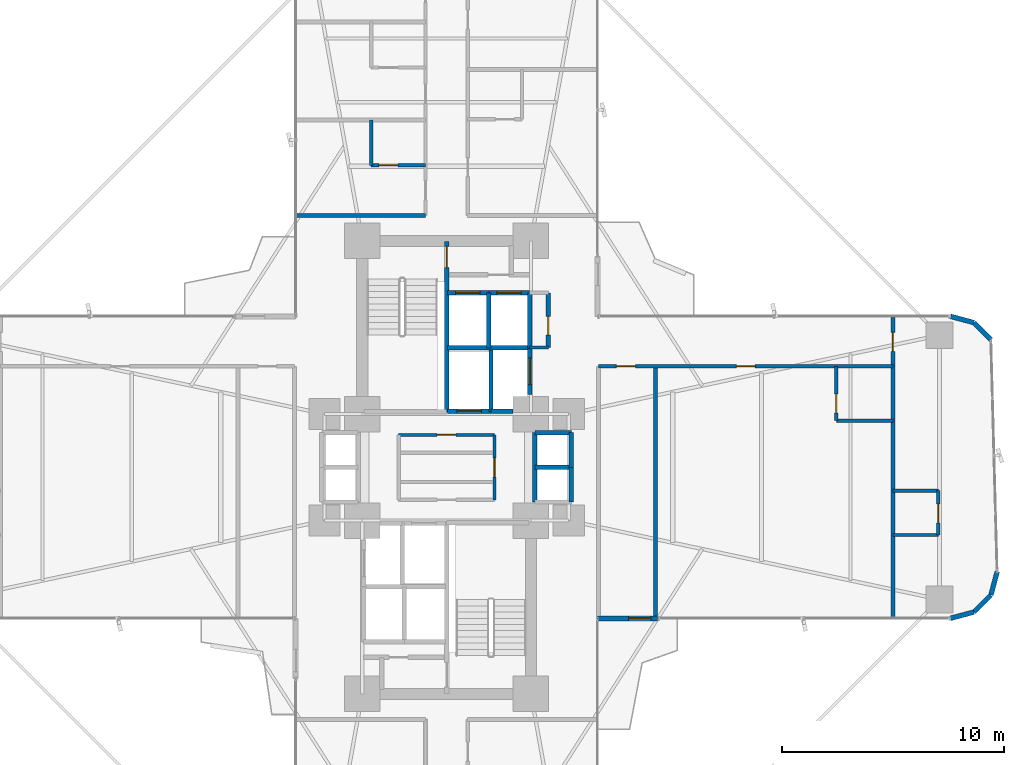
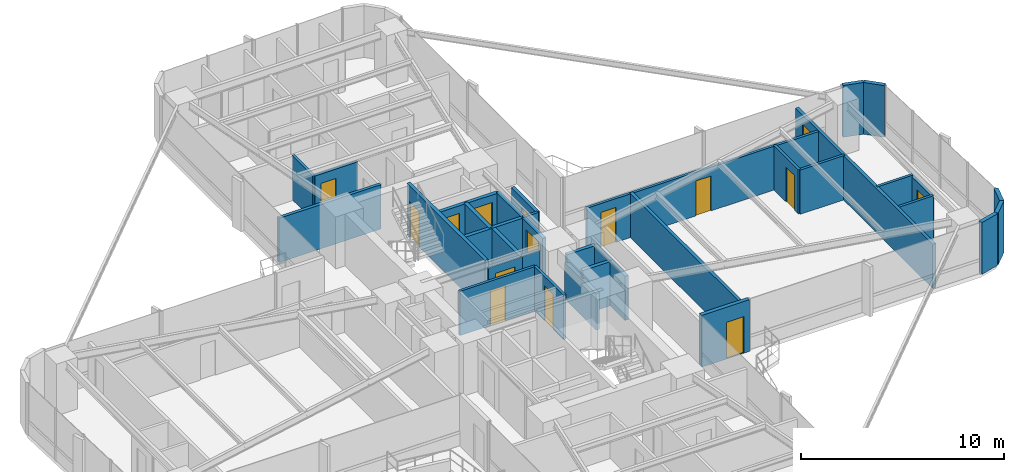
# One storey, part 23 of 25: 36 walls, 15 doors, 15 openings.
"""IFC4 building model written with IfcOpenShell, lengths in metres."""

from ifc_helpers import new_model, si_unit, direction, frame, frame_2d, origin, origin_2d, place, context, subcontext, project, spatial, rectangle, extrude, source, transform, mapped, material, layer, layer_set, type_object, element, fill, save


model = new_model("IFC4")

# Units and contexts
model_context = context("Model", 3, precision=1e-05, world=origin(), true_north=direction((0.0, 1.0)))
body_context = subcontext(model_context, "Body", "Model", "MODEL_VIEW")
ifc_project = project(units=[si_unit("LENGTHUNIT", "METRE"), si_unit("AREAUNIT", "SQUARE_METRE"), si_unit("VOLUMEUNIT", "CUBIC_METRE"), si_unit("PLANEANGLEUNIT", "RADIAN"), si_unit("MASSUNIT", "GRAM", prefix="KILO")], contexts=[model_context])

# Site, building, storey
site_placement = place(None, origin())
site = spatial("IfcSite", under=ifc_project, at=site_placement, CompositionType="ELEMENT")
building_placement = place(site_placement, origin())
building = spatial("IfcBuilding", under=site, at=building_placement, Name="Sahyath Konkavel Grand Hotel", CompositionType="ELEMENT")
storey_placement = place(building_placement, frame((0.0, 0.0, 36.5)))
storey = spatial("IfcBuildingStorey", under=building, at=storey_placement, Name="L09", CompositionType="ELEMENT", Elevation=36.5)

# Wall, opening, door
ifc_material_1 = material(Name="Warm Buff Sandstone Insulated Concrete C40/50", Category="masonry")
ifc_layer_1 = layer(ifc_material_1, 0.219970703125)
ifc_layer_set_1 = layer_set([ifc_layer_1], Name="Warm Buff Sandstone Insulated Concrete C40/50")
wall_type_1 = type_object("IfcWallType", Name="WLL-BALC-THRESH", PredefinedType="STANDARD", material=ifc_layer_set_1)
wall_1_placement = place(storey_placement, frame((6.800048828125, -6.800048828125, 0.0), z_axis=(0.0, 0.0, 1.0), x_axis=(1.0, 0.0, 0.0)))
wall_1 = element("IfcWall", 1, at=wall_1_placement, inside=storey, type_object=wall_type_1, Name="L09 Winter-Garden Threshold Wall 0", PredefinedType="STANDARD", context=body_context, shape_type="SweptSolid", body=[
    extrude(rectangle(XDim=2.699951171875, YDim=0.219970703125, at=frame_2d((1.35009765625, 0.0))), origin(), (0.0, 0.0, 1.0), 3.110107421875),
])
opening_1_placement = place(wall_1_placement, frame((1.39990234375, 0.0, 0.0)))
opening_1 = element("IfcOpeningElement", 2, at=opening_1_placement, cuts=wall_1, Name="Opening D-TR1", PredefinedType="OPENING", context=body_context, shape_type="SweptSolid", body=[
    extrude(rectangle(XDim=1.0, YDim=2.199951171875, at=frame_2d((0.5, 1.10009765625))), frame((0.0, 0.1201171875, 0.0), z_axis=(0.0, -1.0, 0.0), x_axis=(1.0, 0.0, 0.0)), (0.0, 0.0, 1.0), 0.239990234375),
])
ifc_material_2 = material(Name="Anodised Bronze Aluminium & Low-E Glazing", Category="aluminium")
door_type_1 = type_object("IfcDoorType", Name="DR-TERRACE-1000", OperationType="NOTDEFINED", PredefinedType="DOOR", material=ifc_material_2)
shared_shape_1 = source(origin(), body_context, "Body", "SweptSolid", [
    extrude(rectangle(XDim=1.0, YDim=0.050048828125, at=origin_2d()), origin(), (0.0, 0.0, 1.0), 2.199951171875),
])
door_1_placement = place(opening_1_placement, frame((0.5, 0.0, 0.0)))
door_1 = element("IfcDoor", 3, at=door_1_placement, inside=storey, type_object=door_type_1, Name="L09 Winter-Garden Terrace Door 0", OperationType="SINGLE_SWING_LEFT", OverallHeight=2.199951171875, OverallWidth=1.0, PredefinedType="DOOR", context=body_context, shape_type="MappedRepresentation", body=[
    mapped(shared_shape_1, transform((0.0, 0.0, 0.0), scale=1.0)),
])
fill(opening_1, door_1)

# Walls
for number, where, z_axis, x_axis, name in (
    (4, (22.699951171875, -6.800048828125, 0.0), (0.0, 0.0, 1.0), (0.965951058412, 0.25872485917, 0.0), "L09 Rounded Corner Sandstone Pier 1"),
    (5, (23.75, -6.518798828125, 0.0), (0.0, 0.0, 1.0), (0.707106781187, 0.707106781187, 0.0), "L09 Rounded Corner Sandstone Pier 2"),
    (6, (24.518798828125, -5.75, 0.0), (0.0, 0.0, 1.0), (0.25872485917, 0.965951058412, 0.0), "L09 Rounded Corner Sandstone Pier 3"),
    (7, (24.518798828125, 5.75, 0.0), (0.0, 0.0, 1.0), (-0.707106781187, 0.707106781187, 0.0), "L09 Rounded Corner Sandstone Pier 5"),
    (8, (23.75, 6.518798828125, 0.0), (0.0, 0.0, 1.0), (-0.965951058412, 0.25872485917, 0.0), "L09 Rounded Corner Sandstone Pier 6"),
):
    element("IfcWall", number, at=place(storey_placement, frame(where, z_axis=z_axis, x_axis=x_axis)), inside=storey, type_object=wall_type_1, Name=name, PredefinedType="STANDARD", context=body_context, shape_type="SweptSolid", body=[
        extrude(rectangle(XDim=1.087158203125, YDim=0.219970703125, at=frame_2d((0.54345703125, 0.0))), origin(), (0.0, 0.0, 1.0), 3.110107421875),
    ])

# Wall, opening, door
ifc_material_3 = material(Name="Concrete C40/50", Category="concrete")
ifc_layer_2 = layer(ifc_material_3, 0.199951171875)
ifc_layer_set_2 = layer_set([ifc_layer_2], Name="Concrete C40/50")
wall_type_2 = type_object("IfcWallType", Name="WLL-CORE-200", PredefinedType="SOLIDWALL", material=ifc_layer_set_2)
wall_2_placement = place(storey_placement, frame((0.0, 2.5, 0.0), z_axis=(0.0, 0.0, 1.0), x_axis=(0.0, 1.0, 0.0)))
wall_2 = element("IfcWall", 9, at=wall_2_placement, inside=storey, type_object=wall_type_2, Name="L09 Stair ST-1 Shaft Wall E", PredefinedType="SOLIDWALL", context=body_context, shape_type="SweptSolid", body=[
    extrude(rectangle(XDim=7.679931640625, YDim=0.199951171875, at=frame_2d((3.83984375, 0.0))), origin(), (0.0, 0.0, 1.0), 3.110107421875),
])
opening_2_placement = place(wall_2_placement, frame((6.5, 0.0, 0.0)))
opening_2 = element("IfcOpeningElement", 10, at=opening_2_placement, cuts=wall_2, Name="Opening D-F12C", PredefinedType="OPENING", context=body_context, shape_type="SweptSolid", body=[
    extrude(rectangle(XDim=0.949951171875, YDim=2.14990234375, at=frame_2d((0.47509765625, 1.074951171875))), frame((0.0, 0.10986328125, 0.0), z_axis=(0.0, -1.0, 0.0), x_axis=(1.0, 0.0, 0.0)), (0.0, 0.0, 1.0), 0.219970703125),
])
ifc_material_4 = material(Name="Steel E350 Plant Fire Door", Category="steel")
door_type_2 = type_object("IfcDoorType", Name="DR-FD120-950", OperationType="NOTDEFINED", PredefinedType="DOOR", material=ifc_material_4)
shared_shape_2 = source(origin(), body_context, "Body", "SweptSolid", [
    extrude(rectangle(XDim=0.949951171875, YDim=0.050048828125, at=origin_2d()), origin(), (0.0, 0.0, 1.0), 2.14990234375),
])
door_2_placement = place(opening_2_placement, frame((0.47509765625, 0.0, 0.0)))
door_2 = element("IfcDoor", 11, at=door_2_placement, inside=storey, type_object=door_type_2, Name="L09 Stair ST-1 Fire Door", OperationType="SINGLE_SWING_LEFT", OverallHeight=2.14990234375, OverallWidth=0.949951171875, PredefinedType="DOOR", context=body_context, shape_type="MappedRepresentation", body=[
    mapped(shared_shape_2, transform((0.0, 0.0, 0.0), scale=1.0)),
])
fill(opening_2, door_2)

# Wall
wall_3_placement = place(storey_placement, frame((2.0, 2.5, 0.0), z_axis=(0.0, 0.0, 1.0), x_axis=(0.0, 1.0, 0.0)))
element("IfcWall", 12, at=wall_3_placement, inside=storey, type_object=wall_type_2, Name="L09 Partition SH-FFL1-E", PredefinedType="SOLIDWALL", context=body_context, shape_type="SweptSolid", body=[
    extrude(rectangle(XDim=2.780029296875, YDim=0.199951171875, at=frame_2d((1.39013671875, 0.0))), origin(), (0.0, 0.0, 1.0), 2.659912109375),
])

# Wall, opening, door
wall_4_placement = place(storey_placement, frame((0.050048828125, 2.52001953125, 0.0), z_axis=(0.0, 0.0, 1.0), x_axis=(1.0, 0.0, 0.0)))
wall_4 = element("IfcWall", 13, at=wall_4_placement, inside=storey, type_object=wall_type_2, Name="L09 Partition SH-FFL1-S", PredefinedType="SOLIDWALL", context=body_context, shape_type="SweptSolid", body=[
    extrude(rectangle(XDim=1.949951171875, YDim=0.199951171875, at=frame_2d((0.97509765625, 0.0))), origin(), (0.0, 0.0, 1.0), 2.659912109375),
])
opening_3_placement = place(wall_4_placement, frame((0.419921875, 0.0, 0.0)))
opening_3 = element("IfcOpeningElement", 14, at=opening_3_placement, cuts=wall_4, Name="Opening LD-11", PredefinedType="OPENING", context=body_context, shape_type="SweptSolid", body=[
    extrude(rectangle(XDim=1.10009765625, YDim=2.199951171875, at=frame_2d((0.550048828125, 1.10009765625))), frame((0.0, 0.10986328125, 0.0), z_axis=(0.0, -1.0, 0.0), x_axis=(1.0, 0.0, 0.0)), (0.0, 0.0, 1.0), 0.219970703125),
])
ifc_material_5 = material(Name="Bronze Lift Landing Door 1100")
door_type_3 = type_object("IfcDoorType", Name="DR-LIFT-1100", OperationType="DOUBLE_DOOR_SLIDING", PredefinedType="DOOR", material=ifc_material_5)
shared_shape_3 = source(origin(), body_context, "Body", "SweptSolid", [
    extrude(rectangle(XDim=1.10009765625, YDim=0.050048828125, at=origin_2d()), origin(), (0.0, 0.0, 1.0), 2.199951171875),
])
door_3_placement = place(opening_3_placement, frame((0.550048828125, 0.0, 0.0)))
door_3 = element("IfcDoor", 15, at=door_3_placement, inside=storey, type_object=door_type_3, Name="L09 Lift FFL-1 Landing Door", OperationType="DOUBLE_DOOR_SLIDING", OverallHeight=2.199951171875, OverallWidth=1.10009765625, PredefinedType="DOOR", context=body_context, shape_type="MappedRepresentation", body=[
    mapped(shared_shape_3, transform((0.0, 0.0, 0.0), scale=1.0)),
])
fill(opening_3, door_3)

# Wall
wall_5_placement = place(storey_placement, frame((2.0, 2.52001953125, 0.0), z_axis=(0.0, 0.0, 1.0), x_axis=(1.0, 0.0, 0.0)))
element("IfcWall", 16, at=wall_5_placement, inside=storey, type_object=wall_type_2, Name="L09 Partition SH-SVL1-S", PredefinedType="SOLIDWALL", context=body_context, shape_type="SweptSolid", body=[
    extrude(rectangle(XDim=1.0, YDim=0.199951171875, at=frame_2d((0.5, 0.0))), origin(), (0.0, 0.0, 1.0), 2.659912109375),
])

# Wall, opening, door
wall_6_placement = place(storey_placement, frame((3.739990234375, 3.280029296875, 0.0), z_axis=(0.0, 0.0, 1.0), x_axis=(0.0, 1.0, 0.0)))
wall_6 = element("IfcWall", 17, at=wall_6_placement, inside=storey, type_object=wall_type_2, Name="L09 Partition SH-SVL1-E", PredefinedType="SOLIDWALL", context=body_context, shape_type="SweptSolid", body=[
    extrude(rectangle(XDim=2.080078125, YDim=0.199951171875, at=frame_2d((1.0400390625, 0.0))), origin(), (0.0, 0.0, 1.0), 2.659912109375),
])
opening_4_placement = place(wall_6_placement, frame((0.43994140625, 0.0, 0.0)))
opening_4 = element("IfcOpeningElement", 18, at=opening_4_placement, cuts=wall_6, Name="Opening LD-12", PredefinedType="OPENING", context=body_context, shape_type="SweptSolid", body=[
    extrude(rectangle(XDim=1.199951171875, YDim=2.199951171875, at=frame_2d((0.60009765625, 1.10009765625))), frame((0.0, 0.10986328125, 0.0), z_axis=(0.0, -1.0, 0.0), x_axis=(1.0, 0.0, 0.0)), (0.0, 0.0, 1.0), 0.219970703125),
])
ifc_material_6 = material(Name="Stainless Steel Lift Landing Door 1200", Category="steel")
door_type_4 = type_object("IfcDoorType", Name="DR-LIFT-1200", OperationType="DOUBLE_DOOR_SLIDING", PredefinedType="DOOR", material=ifc_material_6)
shared_shape_4 = source(origin(), body_context, "Body", "SweptSolid", [
    extrude(rectangle(XDim=1.199951171875, YDim=0.050048828125, at=origin_2d()), origin(), (0.0, 0.0, 1.0), 2.199951171875),
])
door_4_placement = place(opening_4_placement, frame((0.60009765625, 0.0, 0.0)))
door_4 = element("IfcDoor", 19, at=door_4_placement, inside=storey, type_object=door_type_4, Name="L09 Service Lift SVL-1 Landing Door", OperationType="DOUBLE_DOOR_SLIDING", OverallHeight=2.199951171875, OverallWidth=1.199951171875, PredefinedType="DOOR", context=body_context, shape_type="MappedRepresentation", body=[
    mapped(shared_shape_4, transform((0.0, 0.0, 0.0), scale=1.0)),
])
fill(opening_4, door_4)

# Walls
wall_7_placement = place(storey_placement, frame((0.050048828125, 5.3798828125, 0.0), z_axis=(0.0, 0.0, 1.0), x_axis=(1.0, 0.0, 0.0)))
element("IfcWall", 20, at=wall_7_placement, inside=storey, type_object=wall_type_2, Name="L09 Partition SH-PL12-S", PredefinedType="SOLIDWALL", context=body_context, shape_type="SweptSolid", body=[
    extrude(rectangle(XDim=3.68994140625, YDim=0.199951171875, at=frame_2d((1.844970703125, 0.0))), origin(), (0.0, 0.0, 1.0), 2.659912109375),
])
wall_8_placement = place(storey_placement, frame((1.89990234375, 5.3798828125, 0.0), z_axis=(0.0, 0.0, 1.0), x_axis=(0.0, 1.0, 0.0)))
element("IfcWall", 21, at=wall_8_placement, inside=storey, type_object=wall_type_2, Name="L09 Partition SH-PL12-M", PredefinedType="SOLIDWALL", context=body_context, shape_type="SweptSolid", body=[
    extrude(rectangle(XDim=2.480224609375, YDim=0.199951171875, at=frame_2d((1.240234375, 0.0))), origin(), (0.0, 0.0, 1.0), 2.659912109375),
])

# Wall, opening, door
wall_9_placement = place(storey_placement, frame((0.050048828125, 7.860107421875, 0.0), z_axis=(0.0, 0.0, 1.0), x_axis=(1.0, 0.0, 0.0)))
wall_9 = element("IfcWall", 22, at=wall_9_placement, inside=storey, type_object=wall_type_2, Name="L09 Partition SH-PL1-N", PredefinedType="SOLIDWALL", context=body_context, shape_type="SweptSolid", body=[
    extrude(rectangle(XDim=1.849853515625, YDim=0.199951171875, at=frame_2d((0.9248046875, 0.0))), origin(), (0.0, 0.0, 1.0), 2.659912109375),
])
opening_5_placement = place(wall_9_placement, frame((0.360107421875, 0.0, 0.0)))
opening_5 = element("IfcOpeningElement", 23, at=opening_5_placement, cuts=wall_9, Name="Opening LD-11", PredefinedType="OPENING", context=body_context, shape_type="SweptSolid", body=[
    extrude(rectangle(XDim=1.10009765625, YDim=2.199951171875, at=frame_2d((0.550048828125, 1.10009765625))), frame((0.0, 0.10986328125, 0.0), z_axis=(0.0, -1.0, 0.0), x_axis=(1.0, 0.0, 0.0)), (0.0, 0.0, 1.0), 0.219970703125),
])
door_5_placement = place(opening_5_placement, frame((0.550048828125, 0.0, 0.0)))
door_5 = element("IfcDoor", 24, at=door_5_placement, inside=storey, type_object=door_type_3, Name="L09 Passenger Lift PL-1 Landing Door", OperationType="DOUBLE_DOOR_SLIDING", OverallHeight=2.199951171875, OverallWidth=1.10009765625, PredefinedType="DOOR", context=body_context, shape_type="MappedRepresentation", body=[
    mapped(shared_shape_3, transform((0.0, 0.0, 0.0), scale=1.0)),
])
fill(opening_5, door_5)

# Wall
wall_10_placement = place(storey_placement, frame((3.739990234375, 5.3798828125, 0.0), z_axis=(0.0, 0.0, 1.0), x_axis=(0.0, 1.0, 0.0)))
element("IfcWall", 25, at=wall_10_placement, inside=storey, type_object=wall_type_2, Name="L09 Partition SH-PL2-E", PredefinedType="SOLIDWALL", context=body_context, shape_type="SweptSolid", body=[
    extrude(rectangle(XDim=2.480224609375, YDim=0.199951171875, at=frame_2d((1.240234375, 0.0))), origin(), (0.0, 0.0, 1.0), 2.659912109375),
])

# Wall, opening, door
wall_11_placement = place(storey_placement, frame((1.89990234375, 7.860107421875, 0.0), z_axis=(0.0, 0.0, 1.0), x_axis=(1.0, 0.0, 0.0)))
wall_11 = element("IfcWall", 26, at=wall_11_placement, inside=storey, type_object=wall_type_2, Name="L09 Partition SH-PL2-N", PredefinedType="SOLIDWALL", context=body_context, shape_type="SweptSolid", body=[
    extrude(rectangle(XDim=1.840087890625, YDim=0.199951171875, at=frame_2d((0.919921875, 0.0))), origin(), (0.0, 0.0, 1.0), 2.659912109375),
])
opening_6_placement = place(wall_11_placement, frame((0.360107421875, 0.0, 0.0)))
opening_6 = element("IfcOpeningElement", 27, at=opening_6_placement, cuts=wall_11, Name="Opening LD-11", PredefinedType="OPENING", context=body_context, shape_type="SweptSolid", body=[
    extrude(rectangle(XDim=1.10009765625, YDim=2.199951171875, at=frame_2d((0.550048828125, 1.10009765625))), frame((0.0, 0.10986328125, 0.0), z_axis=(0.0, -1.0, 0.0), x_axis=(1.0, 0.0, 0.0)), (0.0, 0.0, 1.0), 0.219970703125),
])
door_6_placement = place(opening_6_placement, frame((0.550048828125, 0.0, 0.0)))
door_6 = element("IfcDoor", 28, at=door_6_placement, inside=storey, type_object=door_type_3, Name="L09 Passenger Lift PL-2 Landing Door", OperationType="DOUBLE_DOOR_SLIDING", OverallHeight=2.199951171875, OverallWidth=1.10009765625, PredefinedType="DOOR", context=body_context, shape_type="MappedRepresentation", body=[
    mapped(shared_shape_3, transform((0.0, 0.0, 0.0), scale=1.0)),
])
fill(opening_6, door_6)

# Walls
wall_12_placement = place(storey_placement, frame((3.97998046875, -1.56005859375, 0.0), z_axis=(0.0, 0.0, 1.0), x_axis=(0.0, 1.0, 0.0)))
element("IfcWall", 29, at=wall_12_placement, inside=storey, type_object=wall_type_2, Name="L09 Partition SH-PL56-W", PredefinedType="SOLIDWALL", context=body_context, shape_type="SweptSolid", body=[
    extrude(rectangle(XDim=3.1201171875, YDim=0.199951171875, at=frame_2d((1.56005859375, 0.0))), origin(), (0.0, 0.0, 1.0), 2.179931640625),
])
for number, where, z_axis, x_axis, name in (
    (30, (3.97998046875, 1.56005859375, 0.0), (0.0, 0.0, 1.0), (1.0, 0.0, 0.0), "L09 Partition SH-PL56-N"),
    (31, (3.97998046875, 0.0, 0.0), (0.0, 0.0, 1.0), (1.0, 0.0, 0.0), "L09 Partition SH-PL56-M"),
):
    element("IfcWall", number, at=place(storey_placement, frame(where, z_axis=z_axis, x_axis=x_axis)), inside=storey, type_object=wall_type_2, Name=name, PredefinedType="SOLIDWALL", context=body_context, shape_type="SweptSolid", body=[
        extrude(rectangle(XDim=1.64013671875, YDim=0.199951171875, at=frame_2d((0.820068359375, 0.0))), origin(), (0.0, 0.0, 1.0), 2.659912109375),
    ])
for number, where, z_axis, x_axis, name in (
    (32, (5.6201171875, 0.0, 0.0), (0.0, 0.0, 1.0), (0.0, 1.0, 0.0), "L09 Partition SH-PL5-E"),
    (33, (5.6201171875, -1.56005859375, 0.0), (0.0, 0.0, 1.0), (0.0, 1.0, 0.0), "L09 Partition SH-PL6-E"),
):
    element("IfcWall", number, at=place(storey_placement, frame(where, z_axis=z_axis, x_axis=x_axis)), inside=storey, type_object=wall_type_2, Name=name, PredefinedType="SOLIDWALL", context=body_context, shape_type="SweptSolid", body=[
        extrude(rectangle(XDim=1.56005859375, YDim=0.199951171875, at=frame_2d((0.780029296875, 0.0))), origin(), (0.0, 0.0, 1.0), 2.659912109375),
    ])

# Wall, opening, door
wall_13_placement = place(storey_placement, frame((4.580078125, 5.39990234375, 0.0), z_axis=(0.0, 0.0, 1.0), x_axis=(0.0, 1.0, 0.0)))
wall_13 = element("IfcWall", 34, at=wall_13_placement, inside=storey, type_object=wall_type_2, Name="L09 Partition NC-FLK-E", PredefinedType="SOLIDWALL", context=body_context, shape_type="SweptSolid", body=[
    extrude(rectangle(XDim=2.460205078125, YDim=0.199951171875, at=frame_2d((1.22998046875, 0.0))), origin(), (0.0, 0.0, 1.0), 2.659912109375),
])
opening_7_placement = place(wall_13_placement, frame((0.550048828125, 0.0, 0.0)))
opening_7 = element("IfcOpeningElement", 35, at=opening_7_placement, cuts=wall_13, Name="Opening D-F06D", PredefinedType="OPENING", context=body_context, shape_type="SweptSolid", body=[
    extrude(rectangle(XDim=0.85009765625, YDim=2.10009765625, at=frame_2d((0.425048828125, 1.050048828125))), frame((0.0, 0.10986328125, 0.0), z_axis=(0.0, -1.0, 0.0), x_axis=(1.0, 0.0, 0.0)), (0.0, 0.0, 1.0), 0.219970703125),
])
ifc_material_7 = material(Name="Fire-Rated Shaft Access Door")
door_type_5 = type_object("IfcDoorType", Name="DR-FD60-850", OperationType="NOTDEFINED", PredefinedType="DOOR", material=ifc_material_7)
shared_shape_5 = source(origin(), body_context, "Body", "SweptSolid", [
    extrude(rectangle(XDim=0.85009765625, YDim=0.050048828125, at=origin_2d()), origin(), (0.0, 0.0, 1.0), 2.10009765625),
])
door_7_placement = place(opening_7_placement, frame((0.425048828125, 0.0, 0.0)))
door_7 = element("IfcDoor", 36, at=door_7_placement, inside=storey, type_object=door_type_5, Name="L09 Door NC-FLK1-D", OperationType="SINGLE_SWING_LEFT", OverallHeight=2.10009765625, OverallWidth=0.85009765625, PredefinedType="DOOR", context=body_context, shape_type="MappedRepresentation", body=[
    mapped(shared_shape_5, transform((0.0, 0.0, 0.0), scale=1.0)),
])
fill(opening_7, door_7)

# Wall
ifc_material_8 = material(Name="Twin-Stud Acoustic Gypsum Plasterboard Partition")
ifc_layer_3 = layer(ifc_material_8, 0.179931640625)
ifc_layer_set_3 = layer_set([ifc_layer_3], Name="Twin-Stud Acoustic Gypsum Plasterboard Partition")
wall_type_3 = type_object("IfcWallType", Name="WLL-DEMISE-180", PredefinedType="PARTITIONING", material=ifc_layer_set_3)
wall_14_placement = place(storey_placement, frame((9.39990234375, 4.550048828125, 0.0), z_axis=(0.0, 0.0, 1.0), x_axis=(0.0, -1.0, 0.0)))
element("IfcWall", 37, at=wall_14_placement, inside=storey, type_object=wall_type_3, Name="L09 Partition E-EHK-DEM", PredefinedType="PARTITIONING", context=body_context, shape_type="SweptSolid", body=[
    extrude(rectangle(XDim=11.300048828125, YDim=0.179931640625, at=frame_2d((5.64990234375, 0.0))), origin(), (0.0, 0.0, 1.0), 2.659912109375),
])

# Wall, opening, door
wall_15_placement = place(storey_placement, frame((20.10009765625, -6.75, 0.0), z_axis=(0.0, 0.0, 1.0), x_axis=(0.0, 1.0, 0.0)))
wall_15 = element("IfcWall", 38, at=wall_15_placement, inside=storey, type_object=wall_type_3, Name="L09 Partition E-ETIP-END", PredefinedType="PARTITIONING", context=body_context, shape_type="SweptSolid", body=[
    extrude(rectangle(XDim=13.5, YDim=0.179931640625, at=frame_2d((6.75, 0.0))), origin(), (0.0, 0.0, 1.0), 2.659912109375),
])
opening_8_placement = place(wall_15_placement, frame((11.97509765625, 0.0, 0.0)))
opening_8 = element("IfcOpeningElement", 39, at=opening_8_placement, cuts=wall_15, Name="Opening D-F06D", PredefinedType="OPENING", context=body_context, shape_type="SweptSolid", body=[
    extrude(rectangle(XDim=0.85009765625, YDim=2.10009765625, at=frame_2d((0.425048828125, 1.050048828125))), frame((0.0, 0.10009765625, 0.0), z_axis=(0.0, -1.0, 0.0), x_axis=(1.0, 0.0, 0.0)), (0.0, 0.0, 1.0), 0.199951171875),
])
door_8_placement = place(opening_8_placement, frame((0.425048828125, 0.0, 0.0)))
door_8 = element("IfcDoor", 40, at=door_8_placement, inside=storey, type_object=door_type_5, Name="L09 Door E-ETIP-ED", OperationType="SINGLE_SWING_LEFT", OverallHeight=2.10009765625, OverallWidth=0.85009765625, PredefinedType="DOOR", context=body_context, shape_type="MappedRepresentation", body=[
    mapped(shared_shape_5, transform((0.0, 0.0, 0.0), scale=1.0)),
])
fill(opening_8, door_8)

# Walls
wall_16_placement = place(storey_placement, frame((-0.949951171875, 11.35009765625, 0.0), z_axis=(0.0, 0.0, 1.0), x_axis=(-1.0, 0.0, 0.0)))
element("IfcWall", 41, at=wall_16_placement, inside=storey, type_object=wall_type_3, Name="L09 Partition N-INL", PredefinedType="PARTITIONING", context=body_context, shape_type="SweptSolid", body=[
    extrude(rectangle(XDim=5.800048828125, YDim=0.179931640625, at=frame_2d((2.89990234375, 0.0))), origin(), (0.0, 0.0, 1.0), 2.659912109375),
])
ifc_material_9 = material(Name="Fire-Rated Gypsum Plasterboard Partition")
ifc_layer_4 = layer(ifc_material_9, 0.14990234375)
ifc_layer_set_4 = layer_set([ifc_layer_4], Name="Fire-Rated Gypsum Plasterboard Partition")
wall_type_4 = type_object("IfcWallType", Name="WLL-PART-150", PredefinedType="PARTITIONING", material=ifc_layer_set_4)
wall_17_placement = place(storey_placement, frame((3.739990234375, 5.39990234375, 0.0), z_axis=(0.0, 0.0, 1.0), x_axis=(1.0, 0.0, 0.0)))
element("IfcWall", 42, at=wall_17_placement, inside=storey, type_object=wall_type_4, Name="L09 Partition NC-FLK-S", PredefinedType="PARTITIONING", context=body_context, shape_type="SweptSolid", body=[
    extrude(rectangle(XDim=0.840087890625, YDim=0.14990234375, at=frame_2d((0.419921875, 0.0))), origin(), (0.0, 0.0, 1.0), 2.659912109375),
])

# Wall, opening, door
wall_18_placement = place(storey_placement, frame((2.159912109375, -1.4599609375, 0.0), z_axis=(0.0, 0.0, 1.0), x_axis=(0.0, 1.0, 0.0)))
wall_18 = element("IfcWall", 43, at=wall_18_placement, inside=storey, type_object=wall_type_4, Name="L09 Partition CC-2E", PredefinedType="PARTITIONING", context=body_context, shape_type="SweptSolid", body=[
    extrude(rectangle(XDim=2.919921875, YDim=0.14990234375, at=frame_2d((1.4599609375, 0.0))), origin(), (0.0, 0.0, 1.0), 2.659912109375),
])
opening_9_placement = place(wall_18_placement, frame((1.034912109375, 0.0, 0.0)))
opening_9 = element("IfcOpeningElement", 44, at=opening_9_placement, cuts=wall_18, Name="Opening D-F06D", PredefinedType="OPENING", context=body_context, shape_type="SweptSolid", body=[
    extrude(rectangle(XDim=0.85009765625, YDim=2.10009765625, at=frame_2d((0.425048828125, 1.050048828125))), frame((0.0, 0.0849609375, 0.0), z_axis=(0.0, -1.0, 0.0), x_axis=(1.0, 0.0, 0.0)), (0.0, 0.0, 1.0), 0.169921875),
])
door_9_placement = place(opening_9_placement, frame((0.425048828125, 0.0, 0.0)))
door_9 = element("IfcDoor", 45, at=door_9_placement, inside=storey, type_object=door_type_5, Name="L09 Door CC-D2B", OperationType="SINGLE_SWING_LEFT", OverallHeight=2.10009765625, OverallWidth=0.85009765625, PredefinedType="DOOR", context=body_context, shape_type="MappedRepresentation", body=[
    mapped(shared_shape_5, transform((0.0, 0.0, 0.0), scale=1.0)),
])
fill(opening_9, door_9)

wall_19_placement = place(storey_placement, frame((-2.159912109375, 1.4599609375, 0.0), z_axis=(0.0, 0.0, 1.0), x_axis=(1.0, 0.0, 0.0)))
wall_19 = element("IfcWall", 46, at=wall_19_placement, inside=storey, type_object=wall_type_4, Name="L09 Partition CC-2N", PredefinedType="PARTITIONING", context=body_context, shape_type="SweptSolid", body=[
    extrude(rectangle(XDim=4.31982421875, YDim=0.14990234375, at=frame_2d((2.159912109375, 0.0))), origin(), (0.0, 0.0, 1.0), 2.659912109375),
])
opening_10_placement = place(wall_19_placement, frame((1.72998046875, 0.0, 0.0)))
opening_10 = element("IfcOpeningElement", 47, at=opening_10_placement, cuts=wall_19, Name="Opening D-F06D", PredefinedType="OPENING", context=body_context, shape_type="SweptSolid", body=[
    extrude(rectangle(XDim=0.85009765625, YDim=2.10009765625, at=frame_2d((0.425048828125, 1.050048828125))), frame((0.0, 0.0849609375, 0.0), z_axis=(0.0, -1.0, 0.0), x_axis=(1.0, 0.0, 0.0)), (0.0, 0.0, 1.0), 0.169921875),
])
door_10_placement = place(opening_10_placement, frame((0.425048828125, 0.0, 0.0)))
door_10 = element("IfcDoor", 48, at=door_10_placement, inside=storey, type_object=door_type_5, Name="L09 Door CC-D2A", OperationType="SINGLE_SWING_RIGHT", OverallHeight=2.10009765625, OverallWidth=0.85009765625, PredefinedType="DOOR", context=body_context, shape_type="MappedRepresentation", body=[
    mapped(shared_shape_5, transform((0.0, 0.0, 0.0), scale=1.0)),
])
fill(opening_10, door_10)

# Wall, openings, doors
wall_20_placement = place(storey_placement, frame((6.85009765625, 4.550048828125, 0.0), z_axis=(0.0, 0.0, 1.0), x_axis=(1.0, 0.0, 0.0)))
wall_20 = element("IfcWall", 49, at=wall_20_placement, inside=storey, type_object=wall_type_4, Name="L09 Partition E-G5W", PredefinedType="PARTITIONING", context=body_context, shape_type="SweptSolid", body=[
    extrude(rectangle(XDim=13.25, YDim=0.14990234375, at=frame_2d((6.625, 0.0))), origin(), (0.0, 0.0, 1.0), 2.6298828125),
])
opening_11_placement = place(wall_20_placement, frame((0.800048828125, 0.0, 0.0)))
opening_11 = element("IfcOpeningElement", 50, at=opening_11_placement, cuts=wall_20, Name="Opening D-F06D", PredefinedType="OPENING", context=body_context, shape_type="SweptSolid", body=[
    extrude(rectangle(XDim=0.85009765625, YDim=2.10009765625, at=frame_2d((0.425048828125, 1.050048828125))), frame((0.0, 0.0849609375, 0.0), z_axis=(0.0, -1.0, 0.0), x_axis=(1.0, 0.0, 0.0)), (0.0, 0.0, 1.0), 0.169921875),
])
opening_12_placement = place(wall_20_placement, frame((6.199951171875, 0.0, 0.0)))
opening_12 = element("IfcOpeningElement", 51, at=opening_12_placement, cuts=wall_20, Name="Opening D-F06D", PredefinedType="OPENING", context=body_context, shape_type="SweptSolid", body=[
    extrude(rectangle(XDim=0.85009765625, YDim=2.10009765625, at=frame_2d((0.425048828125, 1.050048828125))), frame((0.0, 0.0849609375, 0.0), z_axis=(0.0, -1.0, 0.0), x_axis=(1.0, 0.0, 0.0)), (0.0, 0.0, 1.0), 0.169921875),
])
door_11_placement = place(opening_11_placement, frame((0.425048828125, 0.0, 0.0)))
door_11 = element("IfcDoor", 52, at=door_11_placement, inside=storey, type_object=door_type_5, Name="L09 Door E-EHK-D", OperationType="SINGLE_SWING_LEFT", OverallHeight=2.10009765625, OverallWidth=0.85009765625, PredefinedType="DOOR", context=body_context, shape_type="MappedRepresentation", body=[
    mapped(shared_shape_5, transform((0.0, 0.0, 0.0), scale=1.0)),
])
fill(opening_11, door_11)
door_12_placement = place(opening_12_placement, frame((0.425048828125, 0.0, 0.0)))
door_12 = element("IfcDoor", 53, at=door_12_placement, inside=storey, type_object=door_type_5, Name="L09 Door E-ED1-ED", OperationType="SINGLE_SWING_LEFT", OverallHeight=2.10009765625, OverallWidth=0.85009765625, PredefinedType="DOOR", context=body_context, shape_type="MappedRepresentation", body=[
    mapped(shared_shape_5, transform((0.0, 0.0, 0.0), scale=1.0)),
])
fill(opening_12, door_12)

# Wall, opening, door
wall_21_placement = place(storey_placement, frame((17.550048828125, 4.550048828125, 0.0), z_axis=(0.0, 0.0, 1.0), x_axis=(0.0, -1.0, 0.0)))
wall_21 = element("IfcWall", 54, at=wall_21_placement, inside=storey, type_object=wall_type_4, Name="L09 Partition E-ED1-BS", PredefinedType="PARTITIONING", context=body_context, shape_type="SweptSolid", body=[
    extrude(rectangle(XDim=2.449951171875, YDim=0.14990234375, at=frame_2d((1.22509765625, 0.0))), origin(), (0.0, 0.0, 1.0), 2.659912109375),
])
opening_13_placement = place(wall_21_placement, frame((1.25, 0.0, 0.0)))
opening_13 = element("IfcOpeningElement", 55, at=opening_13_placement, cuts=wall_21, Name="Opening D-BT85", PredefinedType="OPENING", context=body_context, shape_type="SweptSolid", body=[
    extrude(rectangle(XDim=0.85009765625, YDim=2.10009765625, at=frame_2d((0.425048828125, 1.050048828125))), frame((0.0, 0.0849609375, 0.0), z_axis=(0.0, -1.0, 0.0), x_axis=(1.0, 0.0, 0.0)), (0.0, 0.0, 1.0), 0.169921875),
])
ifc_material_10 = material(Name="Moisture-Resistant Teak Bathroom Door")
door_type_6 = type_object("IfcDoorType", Name="DR-BATH-850", OperationType="NOTDEFINED", PredefinedType="DOOR", material=ifc_material_10)
door_13_placement = place(opening_13_placement, frame((0.425048828125, 0.0, 0.0)))
door_13 = element("IfcDoor", 56, at=door_13_placement, inside=storey, type_object=door_type_6, Name="L09 Door E-ED1-BD", OperationType="SINGLE_SWING_RIGHT", OverallHeight=2.10009765625, OverallWidth=0.85009765625, PredefinedType="DOOR", context=body_context, shape_type="MappedRepresentation", body=[
    mapped(shared_shape_5, transform((0.0, 0.0, 0.0), scale=1.0)),
])
fill(opening_13, door_13)

# Walls
wall_22_placement = place(storey_placement, frame((17.550048828125, 2.10009765625, 0.0), z_axis=(0.0, 0.0, 1.0), x_axis=(1.0, 0.0, 0.0)))
element("IfcWall", 57, at=wall_22_placement, inside=storey, type_object=wall_type_4, Name="L09 Partition E-ED1-BF", PredefinedType="PARTITIONING", context=body_context, shape_type="SweptSolid", body=[
    extrude(rectangle(XDim=2.550048828125, YDim=0.14990234375, at=frame_2d((1.27490234375, 0.0))), origin(), (0.0, 0.0, 1.0), 2.659912109375),
])
wall_23_placement = place(storey_placement, frame((20.10009765625, -1.050048828125, 0.0), z_axis=(0.0, 0.0, 1.0), x_axis=(1.0, 0.0, 0.0)))
element("IfcWall", 58, at=wall_23_placement, inside=storey, type_object=wall_type_4, Name="L09 Partition E-ETIP-BN", PredefinedType="PARTITIONING", context=body_context, shape_type="SweptSolid", body=[
    extrude(rectangle(XDim=2.0498046875, YDim=0.14990234375, at=frame_2d((1.02490234375, 0.0))), origin(), (0.0, 0.0, 1.0), 2.659912109375),
])
wall_24_placement = place(storey_placement, frame((20.10009765625, -3.050048828125, 0.0), z_axis=(0.0, 0.0, 1.0), x_axis=(1.0, 0.0, 0.0)))
element("IfcWall", 59, at=wall_24_placement, inside=storey, type_object=wall_type_4, Name="L09 Partition E-ETIP-BS", PredefinedType="PARTITIONING", context=body_context, shape_type="SweptSolid", body=[
    extrude(rectangle(XDim=2.0498046875, YDim=0.14990234375, at=frame_2d((1.02490234375, 0.0))), origin(), (0.0, 0.0, 1.0), 2.6298828125),
])

# Wall, opening, door
wall_25_placement = place(storey_placement, frame((22.14990234375, -3.050048828125, 0.0), z_axis=(0.0, 0.0, 1.0), x_axis=(0.0, 1.0, 0.0)))
wall_25 = element("IfcWall", 60, at=wall_25_placement, inside=storey, type_object=wall_type_4, Name="L09 Partition E-ETIP-BE", PredefinedType="PARTITIONING", context=body_context, shape_type="SweptSolid", body=[
    extrude(rectangle(XDim=2.0, YDim=0.14990234375, at=frame_2d((1.0, 0.0))), origin(), (0.0, 0.0, 1.0), 2.580078125),
])
opening_14_placement = place(wall_25_placement, frame((0.550048828125, 0.0, 0.0)))
opening_14 = element("IfcOpeningElement", 61, at=opening_14_placement, cuts=wall_25, Name="Opening D-BT85", PredefinedType="OPENING", context=body_context, shape_type="SweptSolid", body=[
    extrude(rectangle(XDim=0.85009765625, YDim=2.10009765625, at=frame_2d((0.425048828125, 1.050048828125))), frame((0.0, 0.0849609375, 0.0), z_axis=(0.0, -1.0, 0.0), x_axis=(1.0, 0.0, 0.0)), (0.0, 0.0, 1.0), 0.169921875),
])
door_14_placement = place(opening_14_placement, frame((0.425048828125, 0.0, 0.0)))
door_14 = element("IfcDoor", 62, at=door_14_placement, inside=storey, type_object=door_type_6, Name="L09 Door E-ETIP-BD", OperationType="SINGLE_SWING_RIGHT", OverallHeight=2.10009765625, OverallWidth=0.85009765625, PredefinedType="DOOR", context=body_context, shape_type="MappedRepresentation", body=[
    mapped(shared_shape_5, transform((0.0, 0.0, 0.0), scale=1.0)),
])
fill(opening_14, door_14)

wall_26_placement = place(storey_placement, frame((-0.949951171875, 13.60009765625, 0.0), z_axis=(0.0, 0.0, 1.0), x_axis=(-1.0, 0.0, 0.0)))
wall_26 = element("IfcWall", 63, at=wall_26_placement, inside=storey, type_object=wall_type_4, Name="L09 Partition N-N1L-BS", PredefinedType="PARTITIONING", context=body_context, shape_type="SweptSolid", body=[
    extrude(rectangle(XDim=2.449951171875, YDim=0.14990234375, at=frame_2d((1.22509765625, 0.0))), origin(), (0.0, 0.0, 1.0), 2.659912109375),
])
opening_15_placement = place(wall_26_placement, frame((1.25, 0.0, 0.0)))
opening_15 = element("IfcOpeningElement", 64, at=opening_15_placement, cuts=wall_26, Name="Opening D-BT85", PredefinedType="OPENING", context=body_context, shape_type="SweptSolid", body=[
    extrude(rectangle(XDim=0.85009765625, YDim=2.10009765625, at=frame_2d((0.425048828125, 1.050048828125))), frame((0.0, 0.0849609375, 0.0), z_axis=(0.0, -1.0, 0.0), x_axis=(1.0, 0.0, 0.0)), (0.0, 0.0, 1.0), 0.169921875),
])
door_15_placement = place(opening_15_placement, frame((0.425048828125, 0.0, 0.0)))
door_15 = element("IfcDoor", 65, at=door_15_placement, inside=storey, type_object=door_type_6, Name="L09 Door N-N1L-BD", OperationType="SINGLE_SWING_RIGHT", OverallHeight=2.10009765625, OverallWidth=0.85009765625, PredefinedType="DOOR", context=body_context, shape_type="MappedRepresentation", body=[
    mapped(shared_shape_5, transform((0.0, 0.0, 0.0), scale=1.0)),
])
fill(opening_15, door_15)

# Wall
wall_27_placement = place(storey_placement, frame((-3.39990234375, 13.60009765625, 0.0), z_axis=(0.0, 0.0, 1.0), x_axis=(0.0, 1.0, 0.0)))
element("IfcWall", 66, at=wall_27_placement, inside=storey, type_object=wall_type_4, Name="L09 Partition N-N1L-BF", PredefinedType="PARTITIONING", context=body_context, shape_type="SweptSolid", body=[
    extrude(rectangle(XDim=2.037841796875, YDim=0.14990234375, at=frame_2d((1.01904296875, 0.0))), origin(), (0.0, 0.0, 1.0), 2.659912109375),
])

save(model, "model.ifc")
